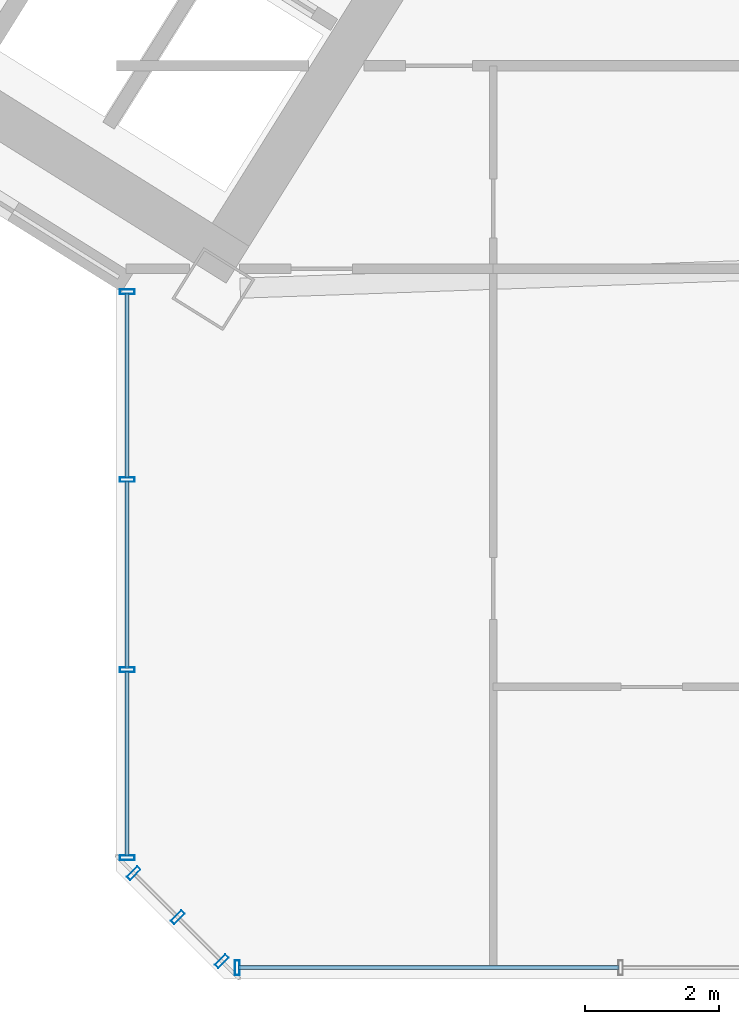
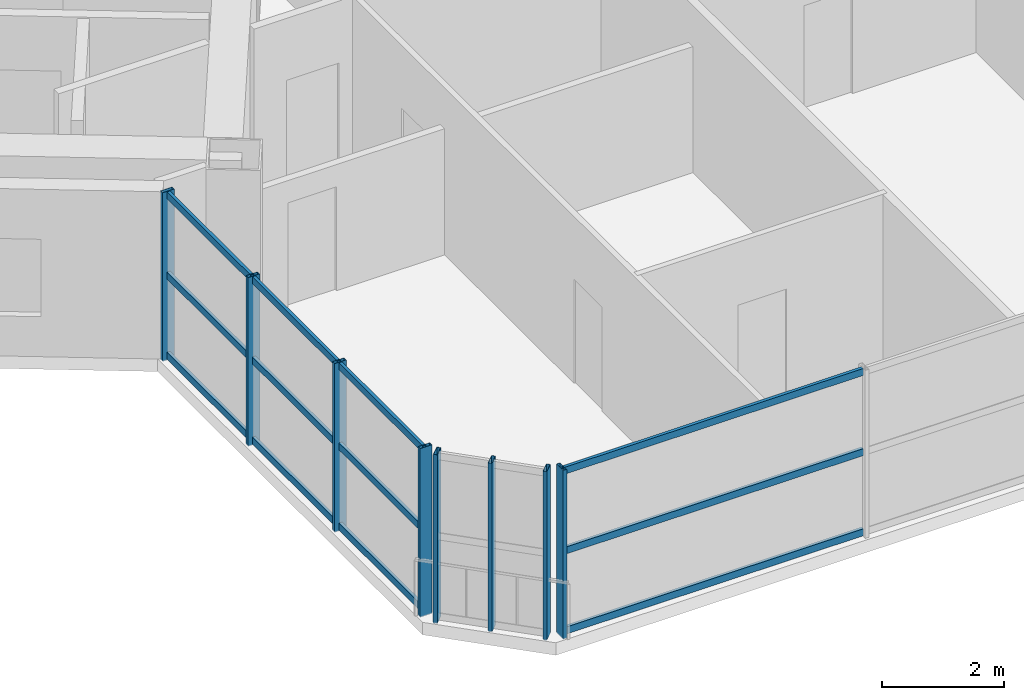
# One storey, part 4 of 21: 20 members, 3 elements without a shape of their own.
"""IFC4 building model written with IfcOpenShell, lengths in metres."""

import ifcopenshell
import ifcopenshell.guid

model = None  # the IFC model being written
_history = None  # IfcOwnerHistory: only IFC2X3 demands one
_inside = {}  # id of a spatial element -> (the spatial element, [elements in it])
_under = {}  # id of a project, library or spatial element -> (it, [spatial elements below it])
_declared = {}  # id of a project -> (the project, [libraries it declares])
_typed = {}  # id of a type object -> (the type object, [elements of that type])
_made_of = {}  # id of a material, layer set ... -> (it, [elements and type objects made of it])


def new_model(schema):
    """Start an empty IFC model of exactly this schema.

    Asked for "IFC4X3", IfcOpenShell would pick the latest addendum, in which some entities
    have other attributes; the version numbers below select the first issue.
    IFC2X3 requires an IfcOwnerHistory on every rooted entity: one is made here for all.
    """
    global model, _history
    if schema == "IFC4X3":
        model = ifcopenshell.file(schema_version=(4, 3, 0, 0))
    else:
        model = ifcopenshell.file(schema=schema)
    _inside.clear()
    _under.clear()
    _declared.clear()
    _typed.clear()
    _made_of.clear()
    _history = None
    if model.schema == "IFC2X3":
        org = make("IfcOrganization", Name="unknown")
        user = make(
            "IfcPersonAndOrganization",
            ThePerson=make("IfcPerson", FamilyName="unknown"),
            TheOrganization=org,
        )
        app = make(
            "IfcApplication",
            ApplicationDeveloper=org,
            Version="unknown",
            ApplicationFullName="unknown",
            ApplicationIdentifier="unknown",
        )
        _history = make(
            "IfcOwnerHistory",
            OwningUser=user,
            OwningApplication=app,
            ChangeAction="ADDED",
            CreationDate=0,
        )
    return model


def make(cls, **values):
    """One entity of the class cls with the attributes given. An attribute that is None is left unset."""
    return model.create_entity(
        cls, **{name: value for name, value in values.items() if value is not None}
    )


def rooted(cls, **values):
    """An entity with a GlobalId (a new one), such as an element, a storey or a relation."""
    return make(cls, GlobalId=ifcopenshell.guid.new(), OwnerHistory=_history, **values)


def si_unit(unit_type, name, prefix=None):
    """IfcSIUnit, for example si_unit("LENGTHUNIT", "METRE", prefix="MILLI")."""
    return make("IfcSIUnit", UnitType=unit_type, Prefix=prefix, Name=name)


def assignment(units):
    """IfcUnitAssignment: the units of a project."""
    return None if units is None else make("IfcUnitAssignment", Units=units)


def point(xyz):
    """IfcCartesianPoint."""
    return None if xyz is None else make("IfcCartesianPoint", Coordinates=xyz)


def direction(xyz):
    """IfcDirection."""
    return None if xyz is None else make("IfcDirection", DirectionRatios=xyz)


def frame(location, z_axis=None, x_axis=None):
    """IfcAxis2Placement3D, a coordinate frame: its origin and axes. An axis left out is left unset."""
    return make(
        "IfcAxis2Placement3D",
        Location=point(location),
        Axis=direction(z_axis),
        RefDirection=direction(x_axis),
    )


def frame_2d(location, x_axis=None):
    """IfcAxis2Placement2D, a coordinate frame in the plane: its origin and x axis."""
    return make(
        "IfcAxis2Placement2D", Location=point(location), RefDirection=direction(x_axis)
    )


def origin():
    """The frame at (0, 0, 0) with its axes left unset."""
    return frame((0.0, 0.0, 0.0))


def origin_2d():
    """The frame at (0, 0) in the plane with its x axis left unset."""
    return frame_2d((0.0, 0.0))


def place(relative_to, where):
    """IfcLocalPlacement: puts the frame where relative to a parent placement (None: the world)."""
    return make(
        "IfcLocalPlacement", PlacementRelTo=relative_to, RelativePlacement=where
    )


def context(
    kind, dimensions, precision=None, world=None, true_north=None, identifier=None
):
    """IfcGeometricRepresentationContext, for example the 3D "Model" context."""
    return make(
        "IfcGeometricRepresentationContext",
        ContextIdentifier=identifier,
        ContextType=kind,
        CoordinateSpaceDimension=dimensions,
        Precision=precision,
        WorldCoordinateSystem=world,
        TrueNorth=true_north,
    )


def subcontext(parent, identifier, kind, view, scale=None):
    """IfcGeometricRepresentationSubContext, for example "Body" below "Model"."""
    return make(
        "IfcGeometricRepresentationSubContext",
        ContextIdentifier=identifier,
        ContextType=kind,
        ParentContext=parent,
        TargetScale=scale,
        TargetView=view,
    )


def project(units=None, contexts=None):
    """IfcProject with its units and contexts."""
    return rooted(
        "IfcProject",
        Name="project",
        RepresentationContexts=contexts,
        UnitsInContext=assignment(units),
    )


def spatial(cls, under=None, at=None, **own):
    """A site, building, storey or space (cls), placed at a placement, below another one or the project."""
    s = rooted(cls, ObjectPlacement=at, **own)
    if under is not None:
        _under.setdefault(under.id(), (under, []))[1].append(s)
    return s


def profile(cls, at=None, kind="AREA", **sizes):
    """A parametric profile (cls). Its sizes go by their IFC names, for example OverallWidth=200.0."""
    return make(cls, ProfileType=kind, Position=at, **sizes)


def hollow_rectangle(**sizes):
    """IfcRectangleHollowProfileDef."""
    return profile("IfcRectangleHollowProfileDef", **sizes)


def extrude(swept, where, along, depth):
    """IfcExtrudedAreaSolid: the profile swept, set in the frame where, extruded along a direction by depth."""
    return make(
        "IfcExtrudedAreaSolid",
        SweptArea=swept,
        Position=where,
        ExtrudedDirection=direction(along),
        Depth=depth,
    )


def shape(context_of_items, identifier, shape_type, items):
    """IfcShapeRepresentation: the items that make up one representation, for example the "Body"."""
    return make(
        "IfcShapeRepresentation",
        ContextOfItems=context_of_items,
        RepresentationIdentifier=identifier,
        RepresentationType=shape_type,
        Items=items,
    )


def source(mapping_origin, context_of_items, identifier, shape_type, items):
    """IfcRepresentationMap: a shape defined once, which mapped items show again and again."""
    return make(
        "IfcRepresentationMap",
        MappingOrigin=mapping_origin,
        MappedRepresentation=shape(context_of_items, identifier, shape_type, items),
    )


def transform(
    local_origin,
    x_axis=None,
    y_axis=None,
    z_axis=None,
    scale=None,
    scale2=None,
    scale3=None,
    uniform=True,
):
    """IfcCartesianTransformationOperator3D, or its non-uniform kind. x_axis, y_axis, z_axis: its Axis1, 2, 3."""
    if uniform:
        return make(
            "IfcCartesianTransformationOperator3D",
            Axis1=direction(x_axis),
            Axis2=direction(y_axis),
            LocalOrigin=point(local_origin),
            Scale=scale,
            Axis3=direction(z_axis),
        )
    return make(
        "IfcCartesianTransformationOperator3DnonUniform",
        Axis1=direction(x_axis),
        Axis2=direction(y_axis),
        LocalOrigin=point(local_origin),
        Scale=scale,
        Axis3=direction(z_axis),
        Scale2=scale2,
        Scale3=scale3,
    )


def mapped(mapping_source, mapping_target):
    """IfcMappedItem: shows the shape of a source again, moved by a transform."""
    return make(
        "IfcMappedItem", MappingSource=mapping_source, MappingTarget=mapping_target
    )


def material(Name=None, Category=None):
    """IfcMaterial."""
    return make("IfcMaterial", Name=Name, Category=Category)


def material_profile(
    of_material, cross_section, Name=None, Category=None, Priority=None
):
    """IfcMaterialProfile: a cross section and its material."""
    return make(
        "IfcMaterialProfile",
        Name=Name,
        Material=of_material,
        Profile=cross_section,
        Priority=Priority,
        Category=Category,
    )


def profile_set(profiles, Name=None, composite=None):
    """IfcMaterialProfileSet."""
    return make(
        "IfcMaterialProfileSet",
        Name=Name,
        MaterialProfiles=profiles,
        CompositeProfile=composite,
    )


def made_of(thing, what):
    """Note that an element or type object is made of a material, layer set ...; save() writes the relation."""
    if what is not None:
        _made_of.setdefault(what.id(), (what, []))[1].append(thing)
    return thing


def type_object(cls, material=None, **own):
    """A type object (cls), such as IfcWallType, which elements share."""
    return made_of(rooted(cls, **own), material)


def element(
    cls,
    number,
    at=None,
    inside=None,
    cuts=None,
    type_object=None,
    material=None,
    context=None,
    identifier="Body",
    shape_type=None,
    held_by="IfcProductDefinitionShape",
    body=None,
    shapes=None,
    **own,
):
    """One element of the class cls, such as IfcWall. Its Tag is "e" and its number.

    at: its placement. inside: the storey or other place that contains it. cuts: it is an
    opening in that element (IfcRelVoidsElement). A single representation is given by context,
    identifier, shape_type and body (its items); several are given by shapes. held_by: the class
    of the entity that holds the representations. save() writes the other relations.
    """
    e = rooted(cls, Tag="e%d" % number, ObjectPlacement=at, **own)
    if body is not None:
        shapes = [shape(context, identifier, shape_type, body)]
    if shapes is not None:
        e.Representation = make(held_by, Representations=shapes)
    if inside is not None:
        _inside.setdefault(inside.id(), (inside, []))[1].append(e)
    if cuts is not None:
        rooted(
            "IfcRelVoidsElement", RelatingBuildingElement=cuts, RelatedOpeningElement=e
        )
    if type_object is not None:
        _typed.setdefault(type_object.id(), (type_object, []))[1].append(e)
    return made_of(e, material)


def aggregate(whole, parts):
    """IfcRelAggregates: a whole, such as a stair, and the parts it consists of."""
    return rooted("IfcRelAggregates", RelatingObject=whole, RelatedObjects=parts)


def save(model, path):
    """Write the relations noted so far, then the file.

    IfcRelAggregates (storeys below a building ...), IfcRelContainedInSpatialStructure (elements
    in a storey), IfcRelDefinesByType, IfcRelAssociatesMaterial and IfcRelDeclares: one each for
    every whole, place, type object, material and project.
    """
    for whole, parts in _under.values():
        aggregate(whole, parts)
    for where, things in _inside.values():
        rooted(
            "IfcRelContainedInSpatialStructure",
            RelatedElements=things,
            RelatingStructure=where,
        )
    for kind, things in _typed.values():
        rooted("IfcRelDefinesByType", RelatedObjects=things, RelatingType=kind)
    for what, things in _made_of.values():
        rooted("IfcRelAssociatesMaterial", RelatedObjects=things, RelatingMaterial=what)
    for by, libraries in _declared.values():
        rooted("IfcRelDeclares", RelatingContext=by, RelatedDefinitions=libraries)
    model.write(path)


model = new_model("IFC4")

# Units and contexts
model_context = context("Model", 3, precision=1e-05, world=origin(), true_north=direction((0.0, 1.0)))
body_context = subcontext(model_context, "Body", "Model", "MODEL_VIEW")
ifc_project = project(units=[si_unit("LENGTHUNIT", "METRE"), si_unit("AREAUNIT", "SQUARE_METRE"), si_unit("VOLUMEUNIT", "CUBIC_METRE"), si_unit("PLANEANGLEUNIT", "RADIAN"), si_unit("MASSUNIT", "GRAM", prefix="KILO")], contexts=[model_context])

# Site, building, storey
site_placement = place(None, origin())
site = spatial("IfcSite", under=ifc_project, at=site_placement, CompositionType="ELEMENT")
building_placement = place(site_placement, origin())
building = spatial("IfcBuilding", under=site, at=building_placement, Name="Tlacorven Tower", CompositionType="ELEMENT")
storey_placement = place(building_placement, frame((0.0, 0.0, 90.0)))
storey = spatial("IfcBuildingStorey", under=building, at=storey_placement, Name="L22", CompositionType="ELEMENT", Elevation=90.0)

# Curtain wall, member
ifc_material_1 = material(Name="Dark solar low-E double glazing in aluminium frame", Category="aluminium")
curtain_wall_type = type_object("IfcCurtainWallType", Name="CW-TWR-LOW", PredefinedType="USERDEFINED", material=ifc_material_1)
curtain_wall_1_placement = place(storey_placement, origin())
curtain_wall_1 = element("IfcCurtainWall", 1, at=curtain_wall_1_placement, inside=storey, type_object=curtain_wall_type, Name="L22 CW-TWR-LOW Curtain Wall 116", ObjectType="UNITISED CURTAIN WALL", PredefinedType="USERDEFINED")
ifc_material_2 = material(Name="Aluminium 6063-T6 anodised", Category="aluminium")
ifc_material_profile_1 = material_profile(ifc_material_2, hollow_rectangle(XDim=0.070068359375, YDim=0.219970703125, WallThickness=0.0048828125, at=origin_2d()), Name="ALU MULLION 70X220")
ifc_profile_set_1 = profile_set([ifc_material_profile_1], Name="Aluminium 6063-T6 anodised")
member_type_1 = type_object("IfcMemberType", Name="CWM-01", PredefinedType="MULLION", material=ifc_profile_set_1)
shared_shape_1 = source(origin(), body_context, "Body", "SweptSolid", [
    extrude(hollow_rectangle(XDim=0.070068359375, YDim=0.219970703125, WallThickness=0.0048828125, at=origin_2d()), origin(), (0.0, 0.0, 1.0), 3.380126953125),
])
member_1_placement = place(storey_placement, frame((33.4013671875, 1.9599609375, -0.02001953125), z_axis=(0.0, 0.0, 1.0), x_axis=(-1.0, 0.0, 0.0)))
member_1 = element("IfcMember", 2, at=member_1_placement, type_object=member_type_1, Name="CW-L22-116 Mullion 4", PredefinedType="MULLION", context=body_context, shape_type="MappedRepresentation", body=[
    mapped(shared_shape_1, transform((0.0, 0.0, 0.0), scale=1.0)),
])

# Curtain wall, members
curtain_wall_2_placement = place(storey_placement, origin())
curtain_wall_2 = element("IfcCurtainWall", 3, at=curtain_wall_2_placement, inside=storey, type_object=curtain_wall_type, Name="L22 CW-TWR-LOW Curtain Wall 117", ObjectType="UNITISED CURTAIN WALL", PredefinedType="USERDEFINED")
member_2_placement = place(storey_placement, frame((33.1708984375, 2.055419921875, -0.02001953125), z_axis=(0.0, 0.0, 1.0), x_axis=(-0.707106781187, 0.707106781187, 0.0)))
member_2 = element("IfcMember", 4, at=member_2_placement, type_object=member_type_1, Name="CW-L22-117 Mullion 1", PredefinedType="MULLION", context=body_context, shape_type="MappedRepresentation", body=[
    mapped(shared_shape_1, transform((0.0, 0.0, 0.0), scale=1.0)),
])
member_3_placement = place(storey_placement, frame((32.51318359375, 2.713134765625, -0.02001953125), z_axis=(0.0, 0.0, 1.0), x_axis=(-0.707106781187, 0.707106781187, 0.0)))
member_3 = element("IfcMember", 5, at=member_3_placement, type_object=member_type_1, Name="CW-L22-117 Mullion 2", PredefinedType="MULLION", context=body_context, shape_type="MappedRepresentation", body=[
    mapped(shared_shape_1, transform((0.0, 0.0, 0.0), scale=1.0)),
])
member_4_placement = place(storey_placement, frame((31.85546875, 3.370849609375, -0.02001953125), z_axis=(0.0, 0.0, 1.0), x_axis=(-0.707106781187, 0.707106781187, 0.0)))
member_4 = element("IfcMember", 6, at=member_4_placement, type_object=member_type_1, Name="CW-L22-117 Mullion 3", PredefinedType="MULLION", context=body_context, shape_type="MappedRepresentation", body=[
    mapped(shared_shape_1, transform((0.0, 0.0, 0.0), scale=1.0)),
])
aggregate(curtain_wall_2, [member_2, member_3, member_4])

curtain_wall_3_placement = place(storey_placement, origin())
curtain_wall_3 = element("IfcCurtainWall", 7, at=curtain_wall_3_placement, inside=storey, type_object=curtain_wall_type, Name="L22 CW-TWR-LOW Curtain Wall 118", ObjectType="UNITISED CURTAIN WALL", PredefinedType="USERDEFINED")
member_5_placement = place(storey_placement, frame((31.760009765625, 3.601318359375, -0.02001953125), z_axis=(0.0, 0.0, 1.0), x_axis=(0.0, 1.0, 0.0)))
member_5 = element("IfcMember", 8, at=member_5_placement, type_object=member_type_1, Name="CW-L22-118 Mullion 1", PredefinedType="MULLION", context=body_context, shape_type="MappedRepresentation", body=[
    mapped(shared_shape_1, transform((0.0, 0.0, 0.0), scale=1.0)),
])
member_6_placement = place(storey_placement, frame((31.760009765625, 6.4052734375, -0.02001953125), z_axis=(0.0, 0.0, 1.0), x_axis=(0.0, 1.0, 0.0)))
member_6 = element("IfcMember", 9, at=member_6_placement, type_object=member_type_1, Name="CW-L22-118 Mullion 2", PredefinedType="MULLION", context=body_context, shape_type="MappedRepresentation", body=[
    mapped(shared_shape_1, transform((0.0, 0.0, 0.0), scale=1.0)),
])
member_7_placement = place(storey_placement, frame((31.760009765625, 9.244140625, -0.02001953125), z_axis=(0.0, 0.0, 1.0), x_axis=(0.0, 1.0, 0.0)))
member_7 = element("IfcMember", 10, at=member_7_placement, type_object=member_type_1, Name="CW-L22-118 Mullion 3", PredefinedType="MULLION", context=body_context, shape_type="MappedRepresentation", body=[
    mapped(shared_shape_1, transform((0.0, 0.0, 0.0), scale=1.0)),
])
member_8_placement = place(storey_placement, frame((31.760009765625, 12.048095703125, -0.02001953125), z_axis=(0.0, 0.0, 1.0), x_axis=(0.0, 1.0, 0.0)))
member_8 = element("IfcMember", 11, at=member_8_placement, type_object=member_type_1, Name="CW-L22-118 Mullion 4", PredefinedType="MULLION", context=body_context, shape_type="MappedRepresentation", body=[
    mapped(shared_shape_1, transform((0.0, 0.0, 0.0), scale=1.0)),
])

# Member
ifc_material_profile_2 = material_profile(ifc_material_2, hollow_rectangle(XDim=0.06005859375, YDim=0.139892578125, WallThickness=0.00390625, at=origin_2d()), Name="ALU TRANSOM 60X140")
ifc_profile_set_2 = profile_set([ifc_material_profile_2], Name="Aluminium 6063-T6 anodised")
member_type_2 = type_object("IfcMemberType", Name="CWT-02", PredefinedType="USERDEFINED", material=ifc_profile_set_2)
shared_shape_2 = source(origin(), body_context, "Body", "SweptSolid", [
    extrude(hollow_rectangle(XDim=0.06005859375, YDim=0.139892578125, WallThickness=0.00390625, at=origin_2d()), origin(), (0.0, 0.0, 1.0), 5.6748046875),
])
member_9_placement = place(storey_placement, frame((39.09912109375, 1.9599609375, 0.070068359375), z_axis=(-1.0, 0.0, 0.0), x_axis=(0.0, -1.0, 0.0)))
member_9 = element("IfcMember", 12, at=member_9_placement, type_object=member_type_2, Name="CW-L22-116 Transom 7", ObjectType="TRANSOM", PredefinedType="USERDEFINED", context=body_context, shape_type="MappedRepresentation", body=[
    mapped(shared_shape_2, transform((0.0, 0.0, 0.0), scale=1.0)),
])

member_10_placement = place(storey_placement, frame((39.09912109375, 1.9599609375, 1.675048828125), z_axis=(-1.0, 0.0, 0.0), x_axis=(0.0, -1.0, 0.0)))
member_10 = element("IfcMember", 13, at=member_10_placement, type_object=member_type_2, Name="CW-L22-116 Transom 8", ObjectType="TRANSOM", PredefinedType="USERDEFINED", context=body_context, shape_type="MappedRepresentation", body=[
    mapped(shared_shape_2, transform((0.0, 0.0, 0.0), scale=1.0)),
])

member_11_placement = place(storey_placement, frame((39.09912109375, 1.9599609375, 3.280029296875), z_axis=(-1.0, 0.0, 0.0), x_axis=(0.0, -1.0, 0.0)))
member_11 = element("IfcMember", 14, at=member_11_placement, type_object=member_type_2, Name="CW-L22-116 Transom 9", ObjectType="TRANSOM", PredefinedType="USERDEFINED", context=body_context, shape_type="MappedRepresentation", body=[
    mapped(shared_shape_2, transform((0.0, 0.0, 0.0), scale=1.0)),
])

aggregate(curtain_wall_1, [member_1, member_9, member_10, member_11])

shared_shape_3 = source(origin(), body_context, "Body", "SweptSolid", [
    extrude(hollow_rectangle(XDim=0.06005859375, YDim=0.139892578125, WallThickness=0.00390625, at=origin_2d()), origin(), (0.0, 0.0, 1.0), 2.7578125),
])
member_12_placement = place(storey_placement, frame((31.760009765625, 3.624267578125, 0.070068359375), z_axis=(0.0, 1.0, 0.0), x_axis=(-1.0, 0.0, 0.0)))
member_12 = element("IfcMember", 15, at=member_12_placement, type_object=member_type_2, Name="CW-L22-118 Transom 1", ObjectType="TRANSOM", PredefinedType="USERDEFINED", context=body_context, shape_type="MappedRepresentation", body=[
    mapped(shared_shape_3, transform((0.0, 0.0, 0.0), scale=1.0)),
])

member_13_placement = place(storey_placement, frame((31.760009765625, 3.624267578125, 1.675048828125), z_axis=(0.0, 1.0, 0.0), x_axis=(-1.0, 0.0, 0.0)))
member_13 = element("IfcMember", 16, at=member_13_placement, type_object=member_type_2, Name="CW-L22-118 Transom 2", ObjectType="TRANSOM", PredefinedType="USERDEFINED", context=body_context, shape_type="MappedRepresentation", body=[
    mapped(shared_shape_3, transform((0.0, 0.0, 0.0), scale=1.0)),
])

member_14_placement = place(storey_placement, frame((31.760009765625, 3.624267578125, 3.280029296875), z_axis=(0.0, 1.0, 0.0), x_axis=(-1.0, 0.0, 0.0)))
member_14 = element("IfcMember", 17, at=member_14_placement, type_object=member_type_2, Name="CW-L22-118 Transom 3", ObjectType="TRANSOM", PredefinedType="USERDEFINED", context=body_context, shape_type="MappedRepresentation", body=[
    mapped(shared_shape_3, transform((0.0, 0.0, 0.0), scale=1.0)),
])

shared_shape_4 = source(origin(), body_context, "Body", "SweptSolid", [
    extrude(hollow_rectangle(XDim=0.06005859375, YDim=0.139892578125, WallThickness=0.00390625, at=origin_2d()), origin(), (0.0, 0.0, 1.0), 2.79296875),
])
member_15_placement = place(storey_placement, frame((31.760009765625, 6.42822265625, 0.070068359375), z_axis=(0.0, 1.0, 0.0), x_axis=(-1.0, 0.0, 0.0)))
member_15 = element("IfcMember", 18, at=member_15_placement, type_object=member_type_2, Name="CW-L22-118 Transom 4", ObjectType="TRANSOM", PredefinedType="USERDEFINED", context=body_context, shape_type="MappedRepresentation", body=[
    mapped(shared_shape_4, transform((0.0, 0.0, 0.0), scale=1.0)),
])

member_16_placement = place(storey_placement, frame((31.760009765625, 6.42822265625, 1.675048828125), z_axis=(0.0, 1.0, 0.0), x_axis=(-1.0, 0.0, 0.0)))
member_16 = element("IfcMember", 19, at=member_16_placement, type_object=member_type_2, Name="CW-L22-118 Transom 5", ObjectType="TRANSOM", PredefinedType="USERDEFINED", context=body_context, shape_type="MappedRepresentation", body=[
    mapped(shared_shape_4, transform((0.0, 0.0, 0.0), scale=1.0)),
])

member_17_placement = place(storey_placement, frame((31.760009765625, 6.42822265625, 3.280029296875), z_axis=(0.0, 1.0, 0.0), x_axis=(-1.0, 0.0, 0.0)))
member_17 = element("IfcMember", 20, at=member_17_placement, type_object=member_type_2, Name="CW-L22-118 Transom 6", ObjectType="TRANSOM", PredefinedType="USERDEFINED", context=body_context, shape_type="MappedRepresentation", body=[
    mapped(shared_shape_4, transform((0.0, 0.0, 0.0), scale=1.0)),
])

shared_shape_5 = source(origin(), body_context, "Body", "SweptSolid", [
    extrude(hollow_rectangle(XDim=0.06005859375, YDim=0.139892578125, WallThickness=0.00390625, at=origin_2d()), origin(), (0.0, 0.0, 1.0), 2.758056640625),
])
member_18_placement = place(storey_placement, frame((31.760009765625, 9.26708984375, 0.070068359375), z_axis=(0.0, 1.0, 0.0), x_axis=(-1.0, 0.0, 0.0)))
member_18 = element("IfcMember", 21, at=member_18_placement, type_object=member_type_2, Name="CW-L22-118 Transom 7", ObjectType="TRANSOM", PredefinedType="USERDEFINED", context=body_context, shape_type="MappedRepresentation", body=[
    mapped(shared_shape_5, transform((0.0, 0.0, 0.0), scale=1.0)),
])

member_19_placement = place(storey_placement, frame((31.760009765625, 9.26708984375, 1.675048828125), z_axis=(0.0, 1.0, 0.0), x_axis=(-1.0, 0.0, 0.0)))
member_19 = element("IfcMember", 22, at=member_19_placement, type_object=member_type_2, Name="CW-L22-118 Transom 8", ObjectType="TRANSOM", PredefinedType="USERDEFINED", context=body_context, shape_type="MappedRepresentation", body=[
    mapped(shared_shape_5, transform((0.0, 0.0, 0.0), scale=1.0)),
])

member_20_placement = place(storey_placement, frame((31.760009765625, 9.26708984375, 3.280029296875), z_axis=(0.0, 1.0, 0.0), x_axis=(-1.0, 0.0, 0.0)))
member_20 = element("IfcMember", 23, at=member_20_placement, type_object=member_type_2, Name="CW-L22-118 Transom 9", ObjectType="TRANSOM", PredefinedType="USERDEFINED", context=body_context, shape_type="MappedRepresentation", body=[
    mapped(shared_shape_5, transform((0.0, 0.0, 0.0), scale=1.0)),
])

aggregate(curtain_wall_3, [member_5, member_6, member_7, member_8, member_12, member_13, member_14, member_15, member_16, member_17, member_18, member_19, member_20])

save(model, "model.ifc")
